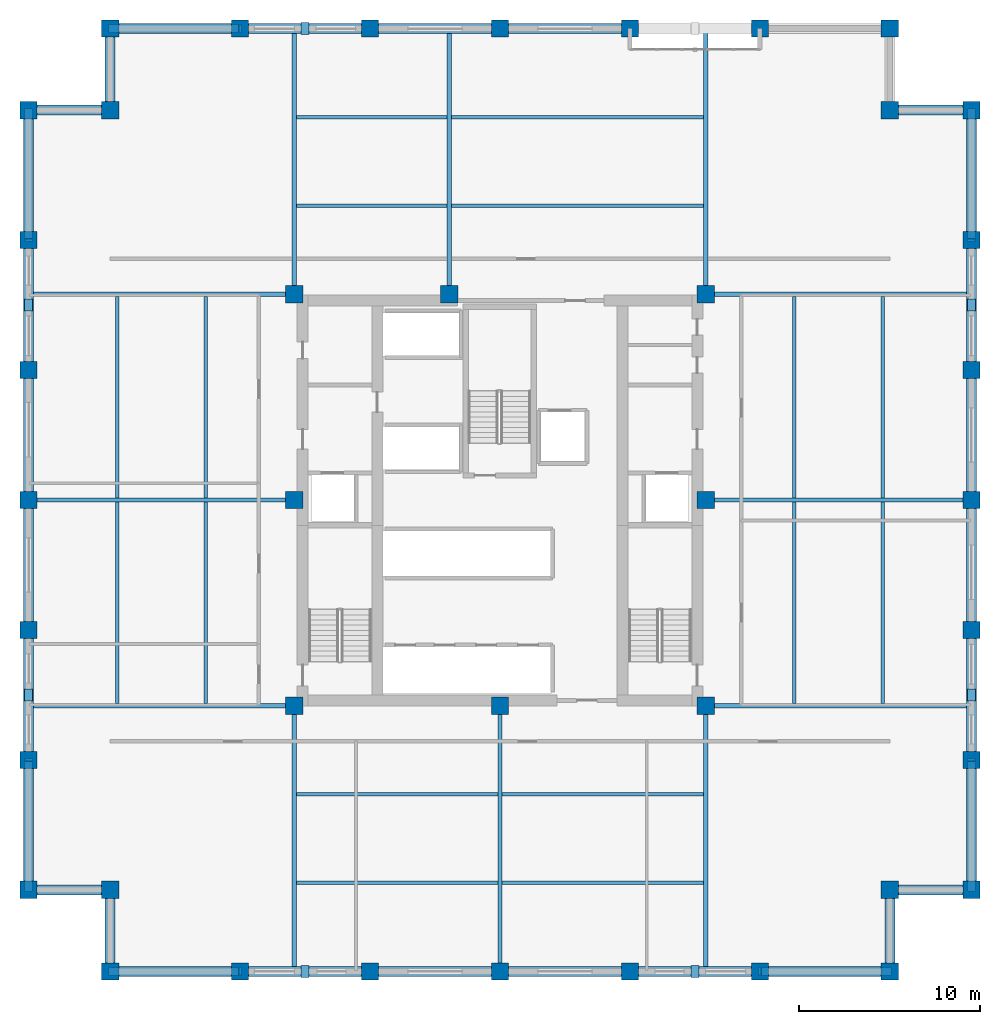
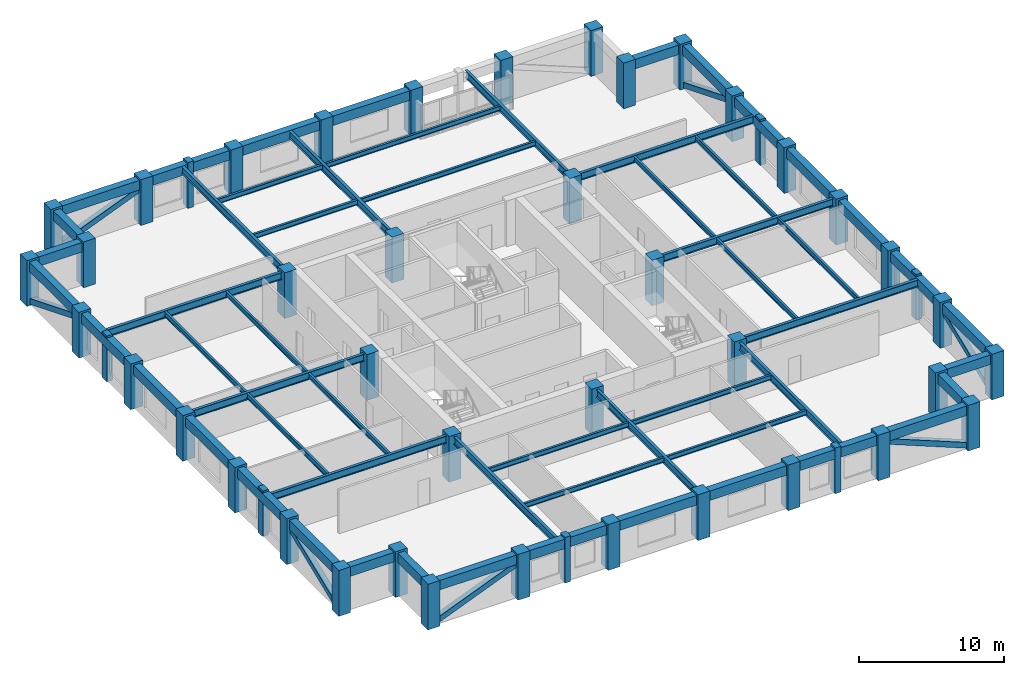
# One storey, part 1 of 8: 57 beams, 40 columns, 14 members.
"""IFC4 building model written with IfcOpenShell, lengths in metres."""

from ifc_helpers import new_model, si_unit, direction, frame, origin, origin_2d, place, context, subcontext, project, spatial, rectangle, hollow_rectangle, i_section, extrude, material, material_profile, profile_set, type_object, element, save


model = new_model("IFC4")

# Units and contexts
model_context = context("Model", 3, precision=1e-05, world=origin(), true_north=direction((0.0, 1.0)))
body_context = subcontext(model_context, "Body", "Model", "MODEL_VIEW")
ifc_project = project(units=[si_unit("LENGTHUNIT", "METRE"), si_unit("AREAUNIT", "SQUARE_METRE"), si_unit("VOLUMEUNIT", "CUBIC_METRE"), si_unit("PLANEANGLEUNIT", "RADIAN"), si_unit("MASSUNIT", "GRAM", prefix="KILO")], contexts=[model_context])

# Site, building, storey
site_placement = place(None, origin())
site = spatial("IfcSite", under=ifc_project, at=site_placement, CompositionType="ELEMENT")
building_placement = place(site_placement, origin())
building = spatial("IfcBuilding", under=site, at=building_placement, Name="Nhamokura Convention Tower", CompositionType="ELEMENT")
storey_placement = place(building_placement, frame((0.0, 0.0, 137.550048828125)))
storey = spatial("IfcBuildingStorey", under=building, at=storey_placement, Name="L33", CompositionType="ELEMENT", Elevation=137.550048828125)

# Columns
ifc_material_1 = material(Name="Concrete C60/75", Category="concrete")
ifc_material_profile_1 = material_profile(ifc_material_1, rectangle(XDim=0.949951171875, YDim=0.949951171875, at=origin_2d()))
ifc_profile_set_1 = profile_set([ifc_material_profile_1], Name="Concrete C60/75")
column_type = type_object("IfcColumnType", Name="TubeColumn_Z2_950", PredefinedType="COLUMN", material=ifc_profile_set_1)
for number, where, z_axis, x_axis, name in (
    (1, (20.64990234375, 20.64990234375, 0.0), (0.0, 0.0, 1.0), (1.0, 0.0, 0.0), "L33 Core Column CC-SW"),
    (2, (32.0, 20.64990234375, 0.0), (0.0, 0.0, 1.0), (1.0, 0.0, 0.0), "L33 Core Column CC-S"),
    (3, (43.35009765625, 20.64990234375, 0.0), (0.0, 0.0, 1.0), (1.0, 0.0, 0.0), "L33 Core Column CC-SE"),
    (4, (43.35009765625, 32.0, 0.0), (0.0, 0.0, 1.0), (1.0, 0.0, 0.0), "L33 Core Column CC-E"),
    (5, (43.35009765625, 43.35009765625, 0.0), (0.0, 0.0, 1.0), (1.0, 0.0, 0.0), "L33 Core Column CC-NE"),
    (6, (29.199951171875, 43.35009765625, 0.0), (0.0, 0.0, 1.0), (1.0, 0.0, 0.0), "L33 Core Column CC-N"),
    (7, (20.64990234375, 43.35009765625, 0.0), (0.0, 0.0, 1.0), (1.0, 0.0, 0.0), "L33 Core Column CC-NW"),
    (8, (20.64990234375, 32.0, 0.0), (0.0, 0.0, 1.0), (1.0, 0.0, 0.0), "L33 Core Column CC-W"),
    (9, (10.5, 6.0, 0.0), (0.0, 0.0, 1.0), (1.0, 0.0, 0.0), "L33 Perimeter Tube Column SW1"),
    (10, (10.5, 10.5, 0.0), (0.0, 0.0, 1.0), (1.0, 0.0, 0.0), "L33 Perimeter Tube Column SW0"),
    (11, (6.0, 10.5, 0.0), (0.0, 0.0, 1.0), (1.0, 0.0, 0.0), "L33 Perimeter Tube Column SW2"),
    (12, (53.5, 6.0, 0.0), (0.0, 0.0, 1.0), (1.0, 0.0, 0.0), "L33 Perimeter Tube Column SE1"),
    (13, (53.5, 10.5, 0.0), (0.0, 0.0, 1.0), (1.0, 0.0, 0.0), "L33 Perimeter Tube Column SE0"),
    (14, (58.0, 10.5, 0.0), (0.0, 0.0, 1.0), (1.0, 0.0, 0.0), "L33 Perimeter Tube Column SE2"),
    (15, (58.0, 53.5, 0.0), (0.0, 0.0, 1.0), (1.0, 0.0, 0.0), "L33 Perimeter Tube Column NE1"),
    (16, (53.5, 53.5, 0.0), (0.0, 0.0, 1.0), (1.0, 0.0, 0.0), "L33 Perimeter Tube Column NE0"),
    (17, (53.5, 58.0, 0.0), (0.0, 0.0, 1.0), (1.0, 0.0, 0.0), "L33 Perimeter Tube Column NE2"),
    (18, (10.5, 58.0, 0.0), (0.0, 0.0, 1.0), (1.0, 0.0, 0.0), "L33 Perimeter Tube Column NW1"),
    (19, (10.5, 53.5, 0.0), (0.0, 0.0, 1.0), (1.0, 0.0, 0.0), "L33 Perimeter Tube Column NW0"),
    (20, (6.0, 53.5, 0.0), (0.0, 0.0, 1.0), (1.0, 0.0, 0.0), "L33 Perimeter Tube Column NW2"),
    (21, (17.666748046875, 6.0, 0.0), (0.0, 0.0, 1.0), (1.0, 0.0, 0.0), "L33 Perimeter Tube Column S1"),
    (22, (17.666748046875, 58.0, 0.0), (0.0, 0.0, 1.0), (1.0, 0.0, 0.0), "L33 Perimeter Tube Column N1"),
    (23, (6.0, 17.666748046875, 0.0), (0.0, 0.0, 1.0), (1.0, 0.0, 0.0), "L33 Perimeter Tube Column W1"),
    (24, (58.0, 17.666748046875, 0.0), (0.0, 0.0, 1.0), (1.0, 0.0, 0.0), "L33 Perimeter Tube Column E1"),
    (25, (24.833251953125, 6.0, 0.0), (0.0, 0.0, 1.0), (1.0, 0.0, 0.0), "L33 Perimeter Tube Column S2"),
    (26, (24.833251953125, 58.0, 0.0), (0.0, 0.0, 1.0), (1.0, 0.0, 0.0), "L33 Perimeter Tube Column N2"),
    (27, (6.0, 24.833251953125, 0.0), (0.0, 0.0, 1.0), (1.0, 0.0, 0.0), "L33 Perimeter Tube Column W2"),
    (28, (58.0, 24.833251953125, 0.0), (0.0, 0.0, 1.0), (1.0, 0.0, 0.0), "L33 Perimeter Tube Column E2"),
    (29, (32.0, 6.0, 0.0), (0.0, 0.0, 1.0), (1.0, 0.0, 0.0), "L33 Perimeter Tube Column S3"),
    (30, (32.0, 58.0, 0.0), (0.0, 0.0, 1.0), (1.0, 0.0, 0.0), "L33 Perimeter Tube Column N3"),
    (31, (6.0, 32.0, 0.0), (0.0, 0.0, 1.0), (1.0, 0.0, 0.0), "L33 Perimeter Tube Column W3"),
    (32, (58.0, 32.0, 0.0), (0.0, 0.0, 1.0), (1.0, 0.0, 0.0), "L33 Perimeter Tube Column E3"),
    (33, (39.166748046875, 6.0, 0.0), (0.0, 0.0, 1.0), (1.0, 0.0, 0.0), "L33 Perimeter Tube Column S4"),
    (34, (39.166748046875, 58.0, 0.0), (0.0, 0.0, 1.0), (1.0, 0.0, 0.0), "L33 Perimeter Tube Column N4"),
    (35, (6.0, 39.166748046875, 0.0), (0.0, 0.0, 1.0), (1.0, 0.0, 0.0), "L33 Perimeter Tube Column W4"),
    (36, (58.0, 39.166748046875, 0.0), (0.0, 0.0, 1.0), (1.0, 0.0, 0.0), "L33 Perimeter Tube Column E4"),
    (37, (46.333251953125, 6.0, 0.0), (0.0, 0.0, 1.0), (1.0, 0.0, 0.0), "L33 Perimeter Tube Column S5"),
    (38, (46.333251953125, 58.0, 0.0), (0.0, 0.0, 1.0), (1.0, 0.0, 0.0), "L33 Perimeter Tube Column N5"),
    (39, (6.0, 46.333251953125, 0.0), (0.0, 0.0, 1.0), (1.0, 0.0, 0.0), "L33 Perimeter Tube Column W5"),
    (40, (58.0, 46.333251953125, 0.0), (0.0, 0.0, 1.0), (1.0, 0.0, 0.0), "L33 Perimeter Tube Column E5"),
):
    element("IfcColumn", number, at=place(storey_placement, frame(where, z_axis=z_axis, x_axis=x_axis)), inside=storey, type_object=column_type, Name=name, PredefinedType="COLUMN", context=body_context, shape_type="SweptSolid", body=[
        extrude(rectangle(XDim=0.949951171875, YDim=0.949951171875, at=origin_2d()), origin(), (0.0, 0.0, 1.0), 3.849853515625),
    ])

# Members
ifc_material_2 = material(Name="Bronze-pigmented precast concrete C45/55", Category="concrete")
ifc_material_profile_2 = material_profile(ifc_material_2, rectangle(XDim=0.449951171875, YDim=0.64990234375, at=origin_2d()))
ifc_profile_set_2 = profile_set([ifc_material_profile_2], Name="Bronze-pigmented precast concrete C45/55")
member_type_1 = type_object("IfcMemberType", Name="BronzePilaster_650", PredefinedType="USERDEFINED", material=ifc_profile_set_2)
for number, where, z_axis, x_axis, name in (
    (41, (21.25, 6.0, 0.0), (0.0, 0.0, 1.0), (1.0, 0.0, 0.0), "L33 Engaged Frame Pilaster SOUTH 1"),
    (42, (42.75, 6.0, 0.0), (0.0, 0.0, 1.0), (1.0, 0.0, 0.0), "L33 Engaged Frame Pilaster SOUTH 4"),
    (43, (21.25, 58.0, 0.0), (0.0, 0.0, 1.0), (1.0, 0.0, 0.0), "L33 Engaged Frame Pilaster NORTH 1"),
    (44, (6.0, 21.25, 0.0), (0.0, 0.0, 1.0), (1.0, 0.0, 0.0), "L33 Engaged Frame Pilaster WEST 1"),
    (45, (6.0, 42.75, 0.0), (0.0, 0.0, 1.0), (1.0, 0.0, 0.0), "L33 Engaged Frame Pilaster WEST 4"),
    (46, (58.0, 21.25, 0.0), (0.0, 0.0, 1.0), (1.0, 0.0, 0.0), "L33 Engaged Frame Pilaster EAST 1"),
    (47, (58.0, 42.75, 0.0), (0.0, 0.0, 1.0), (1.0, 0.0, 0.0), "L33 Engaged Frame Pilaster EAST 4"),
):
    element("IfcMember", number, at=place(storey_placement, frame(where, z_axis=z_axis, x_axis=x_axis)), inside=storey, type_object=member_type_1, Name=name, ObjectType="PILASTER_TRIM", PredefinedType="USERDEFINED", context=body_context, shape_type="SweptSolid", body=[
        extrude(rectangle(XDim=0.449951171875, YDim=0.64990234375, at=origin_2d()), origin(), (0.0, 0.0, 1.0), 3.849853515625),
    ])

# Beams
ifc_material_3 = material(Name="Steel ASTM A992 Gr 50", Category="steel")
ifc_material_profile_3 = material_profile(ifc_material_3, i_section(OverallWidth=0.177001953125, OverallDepth=0.403076171875, WebThickness=0.007568359375, FlangeThickness=0.010986328125, at=origin_2d()))
ifc_profile_set_3 = profile_set([ifc_material_profile_3], Name="Steel ASTM A992 Gr 50")
beam_type_1 = type_object("IfcBeamType", Name="FloorJoist_W410X53", PredefinedType="JOIST", material=ifc_profile_set_3)
for number, where, z_axis, x_axis, name in (
    (48, (20.761962890625, 10.88330078125, 3.4833984375), (1.0, 0.0, 0.0), (0.0, 1.0, 0.0), "L33 Composite Floor Joist S1A"),
    (49, (32.112060546875, 10.88330078125, 3.4833984375), (1.0, 0.0, 0.0), (0.0, 1.0, 0.0), "L33 Composite Floor Joist S1B"),
    (50, (20.761962890625, 15.7666015625, 3.4833984375), (1.0, 0.0, 0.0), (0.0, 1.0, 0.0), "L33 Composite Floor Joist S2A"),
    (51, (32.112060546875, 15.7666015625, 3.4833984375), (1.0, 0.0, 0.0), (0.0, 1.0, 0.0), "L33 Composite Floor Joist S2B"),
):
    element("IfcBeam", number, at=place(storey_placement, frame(where, z_axis=z_axis, x_axis=x_axis)), inside=storey, type_object=beam_type_1, Name=name, PredefinedType="JOIST", context=body_context, shape_type="SweptSolid", body=[
        extrude(i_section(OverallWidth=0.177001953125, OverallDepth=0.403076171875, WebThickness=0.007568359375, FlangeThickness=0.010986328125, at=origin_2d()), origin(), (0.0, 0.0, 1.0), 11.1259765625),
    ])
beam_1_placement = place(storey_placement, frame((20.761962890625, 48.2333984375, 3.4833984375), z_axis=(1.0, 0.0, 0.0), x_axis=(0.0, 1.0, 0.0)))
element("IfcBeam", 52, at=beam_1_placement, inside=storey, type_object=beam_type_1, Name="L33 Composite Floor Joist N1A", PredefinedType="JOIST", context=body_context, shape_type="SweptSolid", body=[
    extrude(i_section(OverallWidth=0.177001953125, OverallDepth=0.403076171875, WebThickness=0.007568359375, FlangeThickness=0.010986328125, at=origin_2d()), origin(), (0.0, 0.0, 1.0), 8.325927734375),
])
beam_2_placement = place(storey_placement, frame((29.31201171875, 48.2333984375, 3.4833984375), z_axis=(1.0, 0.0, 0.0), x_axis=(0.0, 1.0, 0.0)))
element("IfcBeam", 53, at=beam_2_placement, inside=storey, type_object=beam_type_1, Name="L33 Composite Floor Joist N1B", PredefinedType="JOIST", context=body_context, shape_type="SweptSolid", body=[
    extrude(i_section(OverallWidth=0.177001953125, OverallDepth=0.403076171875, WebThickness=0.007568359375, FlangeThickness=0.010986328125, at=origin_2d()), origin(), (0.0, 0.0, 1.0), 13.926025390625),
])
beam_3_placement = place(storey_placement, frame((20.761962890625, 53.11669921875, 3.4833984375), z_axis=(1.0, 0.0, 0.0), x_axis=(0.0, 1.0, 0.0)))
element("IfcBeam", 54, at=beam_3_placement, inside=storey, type_object=beam_type_1, Name="L33 Composite Floor Joist N2A", PredefinedType="JOIST", context=body_context, shape_type="SweptSolid", body=[
    extrude(i_section(OverallWidth=0.177001953125, OverallDepth=0.403076171875, WebThickness=0.007568359375, FlangeThickness=0.010986328125, at=origin_2d()), origin(), (0.0, 0.0, 1.0), 8.325927734375),
])
beam_4_placement = place(storey_placement, frame((29.31201171875, 53.11669921875, 3.4833984375), z_axis=(1.0, 0.0, 0.0), x_axis=(0.0, 1.0, 0.0)))
element("IfcBeam", 55, at=beam_4_placement, inside=storey, type_object=beam_type_1, Name="L33 Composite Floor Joist N2B", PredefinedType="JOIST", context=body_context, shape_type="SweptSolid", body=[
    extrude(i_section(OverallWidth=0.177001953125, OverallDepth=0.403076171875, WebThickness=0.007568359375, FlangeThickness=0.010986328125, at=origin_2d()), origin(), (0.0, 0.0, 1.0), 13.926025390625),
])
for number, where, z_axis, x_axis, name in (
    (56, (10.88330078125, 20.761962890625, 3.4833984375), (0.0, 1.0, 0.0), (-1.0, 0.0, 0.0), "L33 Composite Floor Joist W1A"),
    (57, (10.88330078125, 32.112060546875, 3.4833984375), (0.0, 1.0, 0.0), (-1.0, 0.0, 0.0), "L33 Composite Floor Joist W1B"),
    (58, (15.7666015625, 20.761962890625, 3.4833984375), (0.0, 1.0, 0.0), (-1.0, 0.0, 0.0), "L33 Composite Floor Joist W2A"),
    (59, (15.7666015625, 32.112060546875, 3.4833984375), (0.0, 1.0, 0.0), (-1.0, 0.0, 0.0), "L33 Composite Floor Joist W2B"),
    (60, (48.2333984375, 20.761962890625, 3.4833984375), (0.0, 1.0, 0.0), (-1.0, 0.0, 0.0), "L33 Composite Floor Joist E1A"),
    (61, (48.2333984375, 32.112060546875, 3.4833984375), (0.0, 1.0, 0.0), (-1.0, 0.0, 0.0), "L33 Composite Floor Joist E1B"),
    (62, (53.11669921875, 20.761962890625, 3.4833984375), (0.0, 1.0, 0.0), (-1.0, 0.0, 0.0), "L33 Composite Floor Joist E2A"),
    (63, (53.11669921875, 32.112060546875, 3.4833984375), (0.0, 1.0, 0.0), (-1.0, 0.0, 0.0), "L33 Composite Floor Joist E2B"),
):
    element("IfcBeam", number, at=place(storey_placement, frame(where, z_axis=z_axis, x_axis=x_axis)), inside=storey, type_object=beam_type_1, Name=name, PredefinedType="JOIST", context=body_context, shape_type="SweptSolid", body=[
        extrude(i_section(OverallWidth=0.177001953125, OverallDepth=0.403076171875, WebThickness=0.007568359375, FlangeThickness=0.010986328125, at=origin_2d()), origin(), (0.0, 0.0, 1.0), 11.1259765625),
    ])
ifc_material_4 = material(Name="Steel ASTM A992 Gr 50", Category="steel")
ifc_material_profile_4 = material_profile(ifc_material_4, i_section(OverallWidth=0.22802734375, OverallDepth=0.60791015625, WebThickness=0.01123046875, FlangeThickness=0.017333984375, at=origin_2d()))
ifc_profile_set_4 = profile_set([ifc_material_profile_4], Name="Steel ASTM A992 Gr 50")
beam_type_2 = type_object("IfcBeamType", Name="PrimaryGirder_W610X113", PredefinedType="BEAM", material=ifc_profile_set_4)
for number, where, z_axis, x_axis, name in (
    (64, (20.64990234375, 6.0, 3.380859375), (0.0, 1.0, 0.0), (-1.0, 0.0, 0.0), "L33 Primary Floor Girder PG-S1"),
    (65, (32.0, 6.0, 3.380859375), (0.0, 1.0, 0.0), (-1.0, 0.0, 0.0), "L33 Primary Floor Girder PG-S2"),
    (66, (43.35009765625, 6.0, 3.380859375), (0.0, 1.0, 0.0), (-1.0, 0.0, 0.0), "L33 Primary Floor Girder PG-S3"),
    (67, (20.64990234375, 43.35009765625, 3.380859375), (0.0, 1.0, 0.0), (-1.0, 0.0, 0.0), "L33 Primary Floor Girder PG-N1"),
    (68, (29.199951171875, 43.35009765625, 3.380859375), (0.0, 1.0, 0.0), (-1.0, 0.0, 0.0), "L33 Primary Floor Girder PG-N2"),
    (69, (43.35009765625, 43.35009765625, 3.380859375), (0.0, 1.0, 0.0), (-1.0, 0.0, 0.0), "L33 Primary Floor Girder PG-N3"),
    (70, (6.0, 20.64990234375, 3.380859375), (1.0, 0.0, 0.0), (0.0, 1.0, 0.0), "L33 Primary Floor Girder PG-W1"),
    (71, (6.0, 32.0, 3.380859375), (1.0, 0.0, 0.0), (0.0, 1.0, 0.0), "L33 Primary Floor Girder PG-W2"),
    (72, (6.0, 43.35009765625, 3.380859375), (1.0, 0.0, 0.0), (0.0, 1.0, 0.0), "L33 Primary Floor Girder PG-W3"),
    (73, (43.35009765625, 20.64990234375, 3.380859375), (1.0, 0.0, 0.0), (0.0, 1.0, 0.0), "L33 Primary Floor Girder PG-E1"),
    (74, (43.35009765625, 32.0, 3.380859375), (1.0, 0.0, 0.0), (0.0, 1.0, 0.0), "L33 Primary Floor Girder PG-E2"),
    (75, (43.35009765625, 43.35009765625, 3.380859375), (1.0, 0.0, 0.0), (0.0, 1.0, 0.0), "L33 Primary Floor Girder PG-E3"),
):
    element("IfcBeam", number, at=place(storey_placement, frame(where, z_axis=z_axis, x_axis=x_axis)), inside=storey, type_object=beam_type_2, Name=name, PredefinedType="BEAM", context=body_context, shape_type="SweptSolid", body=[
        extrude(i_section(OverallWidth=0.22802734375, OverallDepth=0.60791015625, WebThickness=0.01123046875, FlangeThickness=0.017333984375, at=origin_2d()), origin(), (0.0, 0.0, 1.0), 14.64990234375),
    ])

# Members
ifc_material_5 = material(Name="Steel ASTM A572 Gr 50", Category="steel")
ifc_material_profile_5 = material_profile(ifc_material_5, hollow_rectangle(XDim=0.449951171875, YDim=0.449951171875, WallThickness=0.02197265625, at=origin_2d()))
ifc_profile_set_5 = profile_set([ifc_material_profile_5], Name="Steel ASTM A572 Gr 50")
member_type_2 = type_object("IfcMemberType", Name="TubeBrace_HSS450", PredefinedType="BRACE", material=ifc_profile_set_5)
for number, where, z_axis, x_axis, name in (
    (76, (10.5, 6.0, 0.14990234375), (0.927657166893, 0.0, 0.373432966826), (0.0, 1.0, 0.0), "L33 Perimeter Tube Brace SOUTH Bay 0"),
    (77, (53.5, 6.0, 0.14990234375), (-0.927657166893, 0.0, 0.373432966826), (0.0, -1.0, 0.0), "L33 Perimeter Tube Brace SOUTH Bay 5"),
    (78, (10.5, 58.0, 0.14990234375), (0.927657166893, 0.0, 0.373432966826), (0.0, 1.0, 0.0), "L33 Perimeter Tube Brace NORTH Bay 0"),
    (79, (6.0, 10.5, 0.14990234375), (0.0, 0.927657166893, 0.373432966826), (-1.0, 0.0, 0.0), "L33 Perimeter Tube Brace WEST Bay 0"),
    (80, (6.0, 53.5, 0.14990234375), (0.0, -0.927657166893, 0.373432966826), (1.0, 0.0, 0.0), "L33 Perimeter Tube Brace WEST Bay 5"),
    (81, (58.0, 10.5, 0.14990234375), (0.0, 0.927657166893, 0.373432966826), (-1.0, 0.0, 0.0), "L33 Perimeter Tube Brace EAST Bay 0"),
    (82, (58.0, 53.5, 0.14990234375), (0.0, -0.927657166893, 0.373432966826), (1.0, 0.0, 0.0), "L33 Perimeter Tube Brace EAST Bay 5"),
):
    element("IfcMember", number, at=place(storey_placement, frame(where, z_axis=z_axis, x_axis=x_axis)), inside=storey, type_object=member_type_2, Name=name, PredefinedType="BRACE", context=body_context, shape_type="SweptSolid", body=[
        extrude(hollow_rectangle(XDim=0.449951171875, YDim=0.449951171875, WallThickness=0.02197265625, at=origin_2d()), origin(), (0.0, 0.0, 1.0), 7.7255859375),
    ])

# Beams
ifc_material_6 = material(Name="Concrete C50/60", Category="concrete")
ifc_material_profile_6 = material_profile(ifc_material_6, rectangle(XDim=0.550048828125, YDim=0.800048828125, at=origin_2d()))
ifc_profile_set_6 = profile_set([ifc_material_profile_6], Name="Concrete C50/60")
beam_type_3 = type_object("IfcBeamType", Name="TubeSpandrel_800", PredefinedType="SPANDREL", material=ifc_profile_set_6)
beam_5_placement = place(storey_placement, frame((10.5, 6.0, 3.284912109375), z_axis=(1.0, 0.0, 0.0), x_axis=(0.0, 1.0, 0.0)))
element("IfcBeam", 83, at=beam_5_placement, inside=storey, type_object=beam_type_3, Name="L33 Perimeter Spandrel SOUTH 1", PredefinedType="SPANDREL", context=body_context, shape_type="SweptSolid", body=[
    extrude(rectangle(XDim=0.550048828125, YDim=0.800048828125, at=origin_2d()), origin(), (0.0, 0.0, 1.0), 7.166748046875),
])
beam_6_placement = place(storey_placement, frame((17.666748046875, 6.0, 3.284912109375), z_axis=(1.0, 0.0, 0.0), x_axis=(0.0, 1.0, 0.0)))
element("IfcBeam", 84, at=beam_6_placement, inside=storey, type_object=beam_type_3, Name="L33 Perimeter Spandrel SOUTH 2", PredefinedType="SPANDREL", context=body_context, shape_type="SweptSolid", body=[
    extrude(rectangle(XDim=0.550048828125, YDim=0.800048828125, at=origin_2d()), origin(), (0.0, 0.0, 1.0), 7.16650390625),
])
for number, where, z_axis, x_axis, name in (
    (85, (24.833251953125, 6.0, 3.284912109375), (1.0, 0.0, 0.0), (0.0, 1.0, 0.0), "L33 Perimeter Spandrel SOUTH 3"),
    (86, (32.0, 6.0, 3.284912109375), (1.0, 0.0, 0.0), (0.0, 1.0, 0.0), "L33 Perimeter Spandrel SOUTH 4"),
):
    element("IfcBeam", number, at=place(storey_placement, frame(where, z_axis=z_axis, x_axis=x_axis)), inside=storey, type_object=beam_type_3, Name=name, PredefinedType="SPANDREL", context=body_context, shape_type="SweptSolid", body=[
        extrude(rectangle(XDim=0.550048828125, YDim=0.800048828125, at=origin_2d()), origin(), (0.0, 0.0, 1.0), 7.166748046875),
    ])
beam_7_placement = place(storey_placement, frame((39.166748046875, 6.0, 3.284912109375), z_axis=(1.0, 0.0, 0.0), x_axis=(0.0, 1.0, 0.0)))
element("IfcBeam", 87, at=beam_7_placement, inside=storey, type_object=beam_type_3, Name="L33 Perimeter Spandrel SOUTH 5", PredefinedType="SPANDREL", context=body_context, shape_type="SweptSolid", body=[
    extrude(rectangle(XDim=0.550048828125, YDim=0.800048828125, at=origin_2d()), origin(), (0.0, 0.0, 1.0), 7.16650390625),
])
for number, where, z_axis, x_axis, name in (
    (88, (46.333251953125, 6.0, 3.284912109375), (1.0, 0.0, 0.0), (0.0, 1.0, 0.0), "L33 Perimeter Spandrel SOUTH 6"),
    (89, (10.5, 58.0, 3.284912109375), (1.0, 0.0, 0.0), (0.0, 1.0, 0.0), "L33 Perimeter Spandrel NORTH 1"),
):
    element("IfcBeam", number, at=place(storey_placement, frame(where, z_axis=z_axis, x_axis=x_axis)), inside=storey, type_object=beam_type_3, Name=name, PredefinedType="SPANDREL", context=body_context, shape_type="SweptSolid", body=[
        extrude(rectangle(XDim=0.550048828125, YDim=0.800048828125, at=origin_2d()), origin(), (0.0, 0.0, 1.0), 7.166748046875),
    ])
beam_8_placement = place(storey_placement, frame((17.666748046875, 58.0, 3.284912109375), z_axis=(1.0, 0.0, 0.0), x_axis=(0.0, 1.0, 0.0)))
element("IfcBeam", 90, at=beam_8_placement, inside=storey, type_object=beam_type_3, Name="L33 Perimeter Spandrel NORTH 2", PredefinedType="SPANDREL", context=body_context, shape_type="SweptSolid", body=[
    extrude(rectangle(XDim=0.550048828125, YDim=0.800048828125, at=origin_2d()), origin(), (0.0, 0.0, 1.0), 7.16650390625),
])
for number, where, z_axis, x_axis, name in (
    (91, (24.833251953125, 58.0, 3.284912109375), (1.0, 0.0, 0.0), (0.0, 1.0, 0.0), "L33 Perimeter Spandrel NORTH 3"),
    (92, (32.0, 58.0, 3.284912109375), (1.0, 0.0, 0.0), (0.0, 1.0, 0.0), "L33 Perimeter Spandrel NORTH 4"),
    (93, (6.0, 10.5, 3.284912109375), (0.0, 1.0, 0.0), (-1.0, 0.0, 0.0), "L33 Perimeter Spandrel WEST 1"),
):
    element("IfcBeam", number, at=place(storey_placement, frame(where, z_axis=z_axis, x_axis=x_axis)), inside=storey, type_object=beam_type_3, Name=name, PredefinedType="SPANDREL", context=body_context, shape_type="SweptSolid", body=[
        extrude(rectangle(XDim=0.550048828125, YDim=0.800048828125, at=origin_2d()), origin(), (0.0, 0.0, 1.0), 7.166748046875),
    ])
beam_9_placement = place(storey_placement, frame((6.0, 17.666748046875, 3.284912109375), z_axis=(0.0, 1.0, 0.0), x_axis=(-1.0, 0.0, 0.0)))
element("IfcBeam", 94, at=beam_9_placement, inside=storey, type_object=beam_type_3, Name="L33 Perimeter Spandrel WEST 2", PredefinedType="SPANDREL", context=body_context, shape_type="SweptSolid", body=[
    extrude(rectangle(XDim=0.550048828125, YDim=0.800048828125, at=origin_2d()), origin(), (0.0, 0.0, 1.0), 7.16650390625),
])
for number, where, z_axis, x_axis, name in (
    (95, (6.0, 24.833251953125, 3.284912109375), (0.0, 1.0, 0.0), (-1.0, 0.0, 0.0), "L33 Perimeter Spandrel WEST 3"),
    (96, (6.0, 32.0, 3.284912109375), (0.0, 1.0, 0.0), (-1.0, 0.0, 0.0), "L33 Perimeter Spandrel WEST 4"),
):
    element("IfcBeam", number, at=place(storey_placement, frame(where, z_axis=z_axis, x_axis=x_axis)), inside=storey, type_object=beam_type_3, Name=name, PredefinedType="SPANDREL", context=body_context, shape_type="SweptSolid", body=[
        extrude(rectangle(XDim=0.550048828125, YDim=0.800048828125, at=origin_2d()), origin(), (0.0, 0.0, 1.0), 7.166748046875),
    ])
beam_10_placement = place(storey_placement, frame((6.0, 39.166748046875, 3.284912109375), z_axis=(0.0, 1.0, 0.0), x_axis=(-1.0, 0.0, 0.0)))
element("IfcBeam", 97, at=beam_10_placement, inside=storey, type_object=beam_type_3, Name="L33 Perimeter Spandrel WEST 5", PredefinedType="SPANDREL", context=body_context, shape_type="SweptSolid", body=[
    extrude(rectangle(XDim=0.550048828125, YDim=0.800048828125, at=origin_2d()), origin(), (0.0, 0.0, 1.0), 7.16650390625),
])
for number, where, z_axis, x_axis, name in (
    (98, (6.0, 46.333251953125, 3.284912109375), (0.0, 1.0, 0.0), (-1.0, 0.0, 0.0), "L33 Perimeter Spandrel WEST 6"),
    (99, (58.0, 10.5, 3.284912109375), (0.0, 1.0, 0.0), (-1.0, 0.0, 0.0), "L33 Perimeter Spandrel EAST 1"),
):
    element("IfcBeam", number, at=place(storey_placement, frame(where, z_axis=z_axis, x_axis=x_axis)), inside=storey, type_object=beam_type_3, Name=name, PredefinedType="SPANDREL", context=body_context, shape_type="SweptSolid", body=[
        extrude(rectangle(XDim=0.550048828125, YDim=0.800048828125, at=origin_2d()), origin(), (0.0, 0.0, 1.0), 7.166748046875),
    ])
beam_11_placement = place(storey_placement, frame((58.0, 17.666748046875, 3.284912109375), z_axis=(0.0, 1.0, 0.0), x_axis=(-1.0, 0.0, 0.0)))
element("IfcBeam", 100, at=beam_11_placement, inside=storey, type_object=beam_type_3, Name="L33 Perimeter Spandrel EAST 2", PredefinedType="SPANDREL", context=body_context, shape_type="SweptSolid", body=[
    extrude(rectangle(XDim=0.550048828125, YDim=0.800048828125, at=origin_2d()), origin(), (0.0, 0.0, 1.0), 7.16650390625),
])
for number, where, z_axis, x_axis, name in (
    (101, (58.0, 24.833251953125, 3.284912109375), (0.0, 1.0, 0.0), (-1.0, 0.0, 0.0), "L33 Perimeter Spandrel EAST 3"),
    (102, (58.0, 32.0, 3.284912109375), (0.0, 1.0, 0.0), (-1.0, 0.0, 0.0), "L33 Perimeter Spandrel EAST 4"),
):
    element("IfcBeam", number, at=place(storey_placement, frame(where, z_axis=z_axis, x_axis=x_axis)), inside=storey, type_object=beam_type_3, Name=name, PredefinedType="SPANDREL", context=body_context, shape_type="SweptSolid", body=[
        extrude(rectangle(XDim=0.550048828125, YDim=0.800048828125, at=origin_2d()), origin(), (0.0, 0.0, 1.0), 7.166748046875),
    ])
beam_12_placement = place(storey_placement, frame((58.0, 39.166748046875, 3.284912109375), z_axis=(0.0, 1.0, 0.0), x_axis=(-1.0, 0.0, 0.0)))
element("IfcBeam", 103, at=beam_12_placement, inside=storey, type_object=beam_type_3, Name="L33 Perimeter Spandrel EAST 5", PredefinedType="SPANDREL", context=body_context, shape_type="SweptSolid", body=[
    extrude(rectangle(XDim=0.550048828125, YDim=0.800048828125, at=origin_2d()), origin(), (0.0, 0.0, 1.0), 7.16650390625),
])
beam_13_placement = place(storey_placement, frame((58.0, 46.333251953125, 3.284912109375), z_axis=(0.0, 1.0, 0.0), x_axis=(-1.0, 0.0, 0.0)))
element("IfcBeam", 104, at=beam_13_placement, inside=storey, type_object=beam_type_3, Name="L33 Perimeter Spandrel EAST 6", PredefinedType="SPANDREL", context=body_context, shape_type="SweptSolid", body=[
    extrude(rectangle(XDim=0.550048828125, YDim=0.800048828125, at=origin_2d()), origin(), (0.0, 0.0, 1.0), 7.166748046875),
])
for number, where, z_axis, x_axis, name in (
    (105, (10.5, 6.0, 3.284912109375), (0.0, 1.0, 0.0), (-1.0, 0.0, 0.0), "L33 Notch Spandrel SW1"),
    (106, (10.5, 10.5, 3.284912109375), (-1.0, 0.0, 0.0), (0.0, -1.0, 0.0), "L33 Notch Spandrel SW2"),
    (107, (53.5, 6.0, 3.284912109375), (0.0, 1.0, 0.0), (-1.0, 0.0, 0.0), "L33 Notch Spandrel SE1"),
    (108, (53.5, 10.5, 3.284912109375), (1.0, 0.0, 0.0), (0.0, 1.0, 0.0), "L33 Notch Spandrel SE2"),
    (109, (58.0, 53.5, 3.284912109375), (-1.0, 0.0, 0.0), (0.0, -1.0, 0.0), "L33 Notch Spandrel NE1"),
    (110, (10.5, 58.0, 3.284912109375), (0.0, -1.0, 0.0), (1.0, 0.0, 0.0), "L33 Notch Spandrel NW1"),
    (111, (10.5, 53.5, 3.284912109375), (-1.0, 0.0, 0.0), (0.0, -1.0, 0.0), "L33 Notch Spandrel NW2"),
):
    element("IfcBeam", number, at=place(storey_placement, frame(where, z_axis=z_axis, x_axis=x_axis)), inside=storey, type_object=beam_type_3, Name=name, PredefinedType="SPANDREL", context=body_context, shape_type="SweptSolid", body=[
        extrude(rectangle(XDim=0.550048828125, YDim=0.800048828125, at=origin_2d()), origin(), (0.0, 0.0, 1.0), 4.5),
    ])

save(model, "model.ifc")
